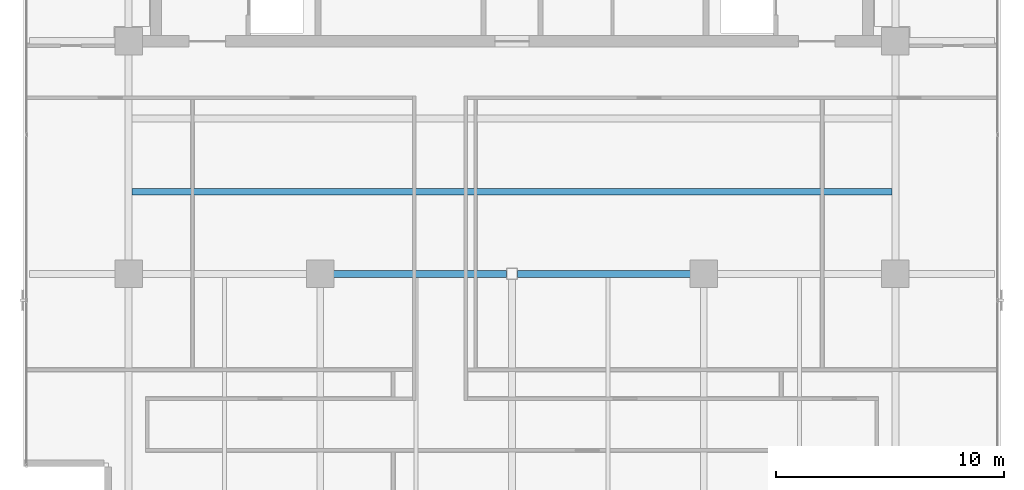
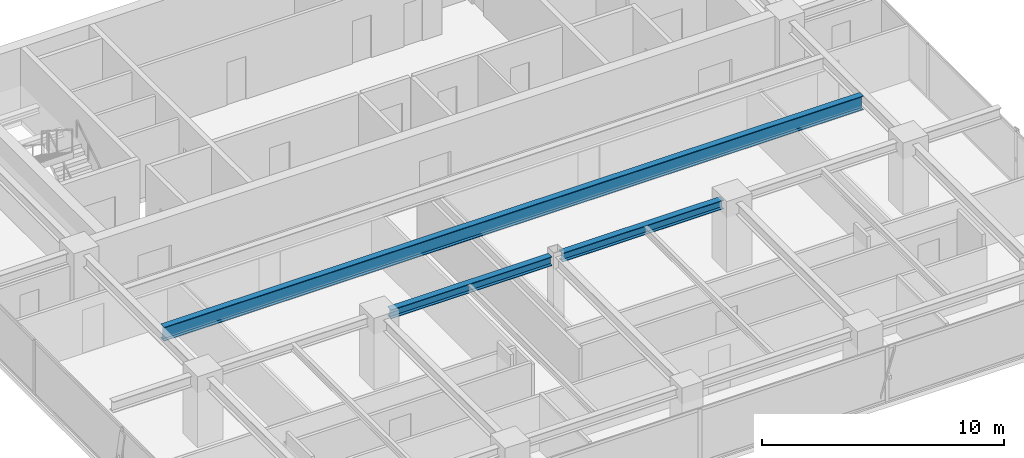
# One storey, part 5 of 22: 3 beams.
"""IFC4 building model written with IfcOpenShell, lengths in metres."""

import ifcopenshell
import ifcopenshell.guid

model = None  # the IFC model being written
_history = None  # IfcOwnerHistory: only IFC2X3 demands one
_inside = {}  # id of a spatial element -> (the spatial element, [elements in it])
_under = {}  # id of a project, library or spatial element -> (it, [spatial elements below it])
_declared = {}  # id of a project -> (the project, [libraries it declares])
_typed = {}  # id of a type object -> (the type object, [elements of that type])
_made_of = {}  # id of a material, layer set ... -> (it, [elements and type objects made of it])


def new_model(schema):
    """Start an empty IFC model of exactly this schema.

    Asked for "IFC4X3", IfcOpenShell would pick the latest addendum, in which some entities
    have other attributes; the version numbers below select the first issue.
    IFC2X3 requires an IfcOwnerHistory on every rooted entity: one is made here for all.
    """
    global model, _history
    if schema == "IFC4X3":
        model = ifcopenshell.file(schema_version=(4, 3, 0, 0))
    else:
        model = ifcopenshell.file(schema=schema)
    _inside.clear()
    _under.clear()
    _declared.clear()
    _typed.clear()
    _made_of.clear()
    _history = None
    if model.schema == "IFC2X3":
        org = make("IfcOrganization", Name="unknown")
        user = make(
            "IfcPersonAndOrganization",
            ThePerson=make("IfcPerson", FamilyName="unknown"),
            TheOrganization=org,
        )
        app = make(
            "IfcApplication",
            ApplicationDeveloper=org,
            Version="unknown",
            ApplicationFullName="unknown",
            ApplicationIdentifier="unknown",
        )
        _history = make(
            "IfcOwnerHistory",
            OwningUser=user,
            OwningApplication=app,
            ChangeAction="ADDED",
            CreationDate=0,
        )
    return model


def make(cls, **values):
    """One entity of the class cls with the attributes given. An attribute that is None is left unset."""
    return model.create_entity(
        cls, **{name: value for name, value in values.items() if value is not None}
    )


def rooted(cls, **values):
    """An entity with a GlobalId (a new one), such as an element, a storey or a relation."""
    return make(cls, GlobalId=ifcopenshell.guid.new(), OwnerHistory=_history, **values)


def si_unit(unit_type, name, prefix=None):
    """IfcSIUnit, for example si_unit("LENGTHUNIT", "METRE", prefix="MILLI")."""
    return make("IfcSIUnit", UnitType=unit_type, Prefix=prefix, Name=name)


def assignment(units):
    """IfcUnitAssignment: the units of a project."""
    return None if units is None else make("IfcUnitAssignment", Units=units)


def point(xyz):
    """IfcCartesianPoint."""
    return None if xyz is None else make("IfcCartesianPoint", Coordinates=xyz)


def direction(xyz):
    """IfcDirection."""
    return None if xyz is None else make("IfcDirection", DirectionRatios=xyz)


def frame(location, z_axis=None, x_axis=None):
    """IfcAxis2Placement3D, a coordinate frame: its origin and axes. An axis left out is left unset."""
    return make(
        "IfcAxis2Placement3D",
        Location=point(location),
        Axis=direction(z_axis),
        RefDirection=direction(x_axis),
    )


def frame_2d(location, x_axis=None):
    """IfcAxis2Placement2D, a coordinate frame in the plane: its origin and x axis."""
    return make(
        "IfcAxis2Placement2D", Location=point(location), RefDirection=direction(x_axis)
    )


def origin():
    """The frame at (0, 0, 0) with its axes left unset."""
    return frame((0.0, 0.0, 0.0))


def origin_2d():
    """The frame at (0, 0) in the plane with its x axis left unset."""
    return frame_2d((0.0, 0.0))


def place(relative_to, where):
    """IfcLocalPlacement: puts the frame where relative to a parent placement (None: the world)."""
    return make(
        "IfcLocalPlacement", PlacementRelTo=relative_to, RelativePlacement=where
    )


def context(
    kind, dimensions, precision=None, world=None, true_north=None, identifier=None
):
    """IfcGeometricRepresentationContext, for example the 3D "Model" context."""
    return make(
        "IfcGeometricRepresentationContext",
        ContextIdentifier=identifier,
        ContextType=kind,
        CoordinateSpaceDimension=dimensions,
        Precision=precision,
        WorldCoordinateSystem=world,
        TrueNorth=true_north,
    )


def subcontext(parent, identifier, kind, view, scale=None):
    """IfcGeometricRepresentationSubContext, for example "Body" below "Model"."""
    return make(
        "IfcGeometricRepresentationSubContext",
        ContextIdentifier=identifier,
        ContextType=kind,
        ParentContext=parent,
        TargetScale=scale,
        TargetView=view,
    )


def project(units=None, contexts=None):
    """IfcProject with its units and contexts."""
    return rooted(
        "IfcProject",
        Name="project",
        RepresentationContexts=contexts,
        UnitsInContext=assignment(units),
    )


def spatial(cls, under=None, at=None, **own):
    """A site, building, storey or space (cls), placed at a placement, below another one or the project."""
    s = rooted(cls, ObjectPlacement=at, **own)
    if under is not None:
        _under.setdefault(under.id(), (under, []))[1].append(s)
    return s


def profile(cls, at=None, kind="AREA", **sizes):
    """A parametric profile (cls). Its sizes go by their IFC names, for example OverallWidth=200.0."""
    return make(cls, ProfileType=kind, Position=at, **sizes)


def i_section(**sizes):
    """IfcIShapeProfileDef."""
    return profile("IfcIShapeProfileDef", **sizes)


def extrude(swept, where, along, depth):
    """IfcExtrudedAreaSolid: the profile swept, set in the frame where, extruded along a direction by depth."""
    return make(
        "IfcExtrudedAreaSolid",
        SweptArea=swept,
        Position=where,
        ExtrudedDirection=direction(along),
        Depth=depth,
    )


def shape(context_of_items, identifier, shape_type, items):
    """IfcShapeRepresentation: the items that make up one representation, for example the "Body"."""
    return make(
        "IfcShapeRepresentation",
        ContextOfItems=context_of_items,
        RepresentationIdentifier=identifier,
        RepresentationType=shape_type,
        Items=items,
    )


def source(mapping_origin, context_of_items, identifier, shape_type, items):
    """IfcRepresentationMap: a shape defined once, which mapped items show again and again."""
    return make(
        "IfcRepresentationMap",
        MappingOrigin=mapping_origin,
        MappedRepresentation=shape(context_of_items, identifier, shape_type, items),
    )


def transform(
    local_origin,
    x_axis=None,
    y_axis=None,
    z_axis=None,
    scale=None,
    scale2=None,
    scale3=None,
    uniform=True,
):
    """IfcCartesianTransformationOperator3D, or its non-uniform kind. x_axis, y_axis, z_axis: its Axis1, 2, 3."""
    if uniform:
        return make(
            "IfcCartesianTransformationOperator3D",
            Axis1=direction(x_axis),
            Axis2=direction(y_axis),
            LocalOrigin=point(local_origin),
            Scale=scale,
            Axis3=direction(z_axis),
        )
    return make(
        "IfcCartesianTransformationOperator3DnonUniform",
        Axis1=direction(x_axis),
        Axis2=direction(y_axis),
        LocalOrigin=point(local_origin),
        Scale=scale,
        Axis3=direction(z_axis),
        Scale2=scale2,
        Scale3=scale3,
    )


def mapped(mapping_source, mapping_target):
    """IfcMappedItem: shows the shape of a source again, moved by a transform."""
    return make(
        "IfcMappedItem", MappingSource=mapping_source, MappingTarget=mapping_target
    )


def material(Name=None, Category=None):
    """IfcMaterial."""
    return make("IfcMaterial", Name=Name, Category=Category)


def material_profile(
    of_material, cross_section, Name=None, Category=None, Priority=None
):
    """IfcMaterialProfile: a cross section and its material."""
    return make(
        "IfcMaterialProfile",
        Name=Name,
        Material=of_material,
        Profile=cross_section,
        Priority=Priority,
        Category=Category,
    )


def profile_set(profiles, Name=None, composite=None):
    """IfcMaterialProfileSet."""
    return make(
        "IfcMaterialProfileSet",
        Name=Name,
        MaterialProfiles=profiles,
        CompositeProfile=composite,
    )


def made_of(thing, what):
    """Note that an element or type object is made of a material, layer set ...; save() writes the relation."""
    if what is not None:
        _made_of.setdefault(what.id(), (what, []))[1].append(thing)
    return thing


def type_object(cls, material=None, **own):
    """A type object (cls), such as IfcWallType, which elements share."""
    return made_of(rooted(cls, **own), material)


def element(
    cls,
    number,
    at=None,
    inside=None,
    cuts=None,
    type_object=None,
    material=None,
    context=None,
    identifier="Body",
    shape_type=None,
    held_by="IfcProductDefinitionShape",
    body=None,
    shapes=None,
    **own,
):
    """One element of the class cls, such as IfcWall. Its Tag is "e" and its number.

    at: its placement. inside: the storey or other place that contains it. cuts: it is an
    opening in that element (IfcRelVoidsElement). A single representation is given by context,
    identifier, shape_type and body (its items); several are given by shapes. held_by: the class
    of the entity that holds the representations. save() writes the other relations.
    """
    e = rooted(cls, Tag="e%d" % number, ObjectPlacement=at, **own)
    if body is not None:
        shapes = [shape(context, identifier, shape_type, body)]
    if shapes is not None:
        e.Representation = make(held_by, Representations=shapes)
    if inside is not None:
        _inside.setdefault(inside.id(), (inside, []))[1].append(e)
    if cuts is not None:
        rooted(
            "IfcRelVoidsElement", RelatingBuildingElement=cuts, RelatedOpeningElement=e
        )
    if type_object is not None:
        _typed.setdefault(type_object.id(), (type_object, []))[1].append(e)
    return made_of(e, material)


def aggregate(whole, parts):
    """IfcRelAggregates: a whole, such as a stair, and the parts it consists of."""
    return rooted("IfcRelAggregates", RelatingObject=whole, RelatedObjects=parts)


def save(model, path):
    """Write the relations noted so far, then the file.

    IfcRelAggregates (storeys below a building ...), IfcRelContainedInSpatialStructure (elements
    in a storey), IfcRelDefinesByType, IfcRelAssociatesMaterial and IfcRelDeclares: one each for
    every whole, place, type object, material and project.
    """
    for whole, parts in _under.values():
        aggregate(whole, parts)
    for where, things in _inside.values():
        rooted(
            "IfcRelContainedInSpatialStructure",
            RelatedElements=things,
            RelatingStructure=where,
        )
    for kind, things in _typed.values():
        rooted("IfcRelDefinesByType", RelatedObjects=things, RelatingType=kind)
    for what, things in _made_of.values():
        rooted("IfcRelAssociatesMaterial", RelatedObjects=things, RelatingMaterial=what)
    for by, libraries in _declared.values():
        rooted("IfcRelDeclares", RelatingContext=by, RelatedDefinitions=libraries)
    model.write(path)


model = new_model("IFC4")

# Units and contexts
model_context = context("Model", 3, precision=1e-05, world=origin(), true_north=direction((0.0, 1.0)))
body_context = subcontext(model_context, "Body", "Model", "MODEL_VIEW")
ifc_project = project(units=[si_unit("LENGTHUNIT", "METRE"), si_unit("AREAUNIT", "SQUARE_METRE"), si_unit("VOLUMEUNIT", "CUBIC_METRE"), si_unit("PLANEANGLEUNIT", "RADIAN"), si_unit("MASSUNIT", "GRAM", prefix="KILO")], contexts=[model_context])

# Site, building, storey
site_placement = place(None, origin())
site = spatial("IfcSite", under=ifc_project, at=site_placement, CompositionType="ELEMENT")
building_placement = place(site_placement, origin())
building = spatial("IfcBuilding", under=site, at=building_placement, Name="Sumidabori Civic Tower", CompositionType="ELEMENT")
storey_placement = place(building_placement, frame((0.0, 0.0, 279.199951171875)))
storey = spatial("IfcBuildingStorey", under=building, at=storey_placement, Name="L73", CompositionType="ELEMENT", Elevation=279.199951171875)

# Beams
ifc_material = material(Name="Steel SN490", Category="steel")
ifc_material_profile_1 = material_profile(ifc_material, i_section(OverallWidth=0.300048828125, OverallDepth=0.699951171875, WebThickness=0.01708984375, FlangeThickness=0.031982421875, at=origin_2d()), Name="HE 700 B")
ifc_profile_set_1 = profile_set([ifc_material_profile_1], Name="Steel SN490")
beam_type_1 = type_object("IfcBeamType", Name="BM-GIRD-700", PredefinedType="BEAM", material=ifc_profile_set_1)
shared_shape_1 = source(origin(), body_context, "Body", "SweptSolid", [
    extrude(i_section(OverallWidth=0.300048828125, OverallDepth=0.699951171875, WebThickness=0.01708984375, FlangeThickness=0.031982421875, at=origin_2d()), origin(), (0.0, 0.0, 1.0), 33.2998046875),
])
beam_placement = place(storey_placement, frame((-16.64990234375, 3.60009765625, 3.02001953125), z_axis=(1.0, 0.0, 0.0), x_axis=(0.0, 1.0, 0.0)))
element("IfcBeam", 1, at=beam_placement, inside=storey, type_object=beam_type_1, Name="North Bay Floor Beam L73 JSTN-22", PredefinedType="BEAM", context=body_context, shape_type="MappedRepresentation", body=[
    mapped(shared_shape_1, transform((0.0, 0.0, 0.0), x_axis=(1.0, 0.0, 0.0), y_axis=(0.0, 1.0, 0.0), z_axis=(0.0, 0.0, 1.0), scale=1.0)),
])
ifc_material_profile_2 = material_profile(ifc_material, i_section(OverallWidth=0.300048828125, OverallDepth=0.449951171875, WebThickness=0.013916015625, FlangeThickness=0.02587890625, at=origin_2d()), Name="HE 450 B")
ifc_profile_set_2 = profile_set([ifc_material_profile_2], Name="Steel SN490")
beam_type_2 = type_object("IfcBeamType", Name="BM-GIRD-450", PredefinedType="BEAM", material=ifc_profile_set_2)
shared_shape_2 = source(origin(), body_context, "Body", "SweptSolid", [
    extrude(i_section(OverallWidth=0.300048828125, OverallDepth=0.449951171875, WebThickness=0.013916015625, FlangeThickness=0.02587890625, at=origin_2d()), origin(), (0.0, 0.0, 1.0), 7.669921875),
])
for number, where, z_axis, x_axis, name in (
    (2, (-7.919921875, 0.0, 3.14501953125), (1.0, 0.0, 0.0), (0.0, 1.0, 0.0), "Primary Girder L73 GX-06"),
    (3, (0.25, 0.0, 3.14501953125), (1.0, 0.0, 0.0), (0.0, 1.0, 0.0), "Primary Girder L73 GX-07"),
):
    element("IfcBeam", number, at=place(storey_placement, frame(where, z_axis=z_axis, x_axis=x_axis)), inside=storey, type_object=beam_type_2, Name=name, PredefinedType="BEAM", context=body_context, shape_type="MappedRepresentation", body=[
        mapped(shared_shape_2, transform((0.0, 0.0, 0.0), x_axis=(1.0, 0.0, 0.0), y_axis=(0.0, 1.0, 0.0), z_axis=(0.0, 0.0, 1.0), scale=1.0)),
    ])

save(model, "model.ifc")
